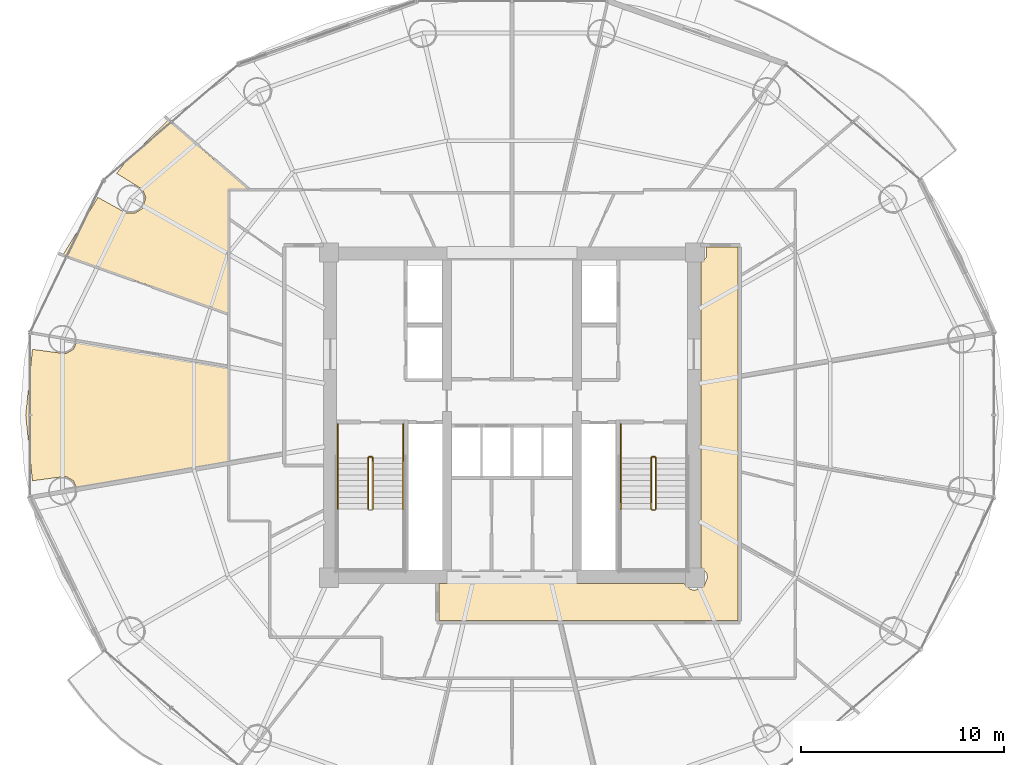
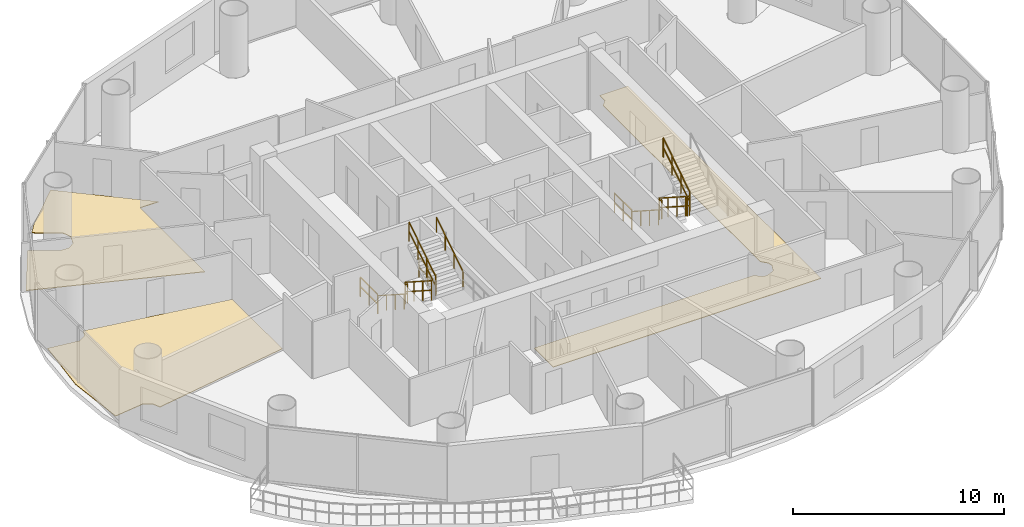
# One storey, part 25 of 26: 13 railings, 3 coverings.
"""IFC4 building model written with IfcOpenShell, lengths in metres."""

from ifc_helpers import new_model, si_unit, direction, frame, origin, origin_2d, place, context, subcontext, project, spatial, polyline, rectangle, outline, extrude, material, layer, layer_set, type_object, element, save


model = new_model("IFC4")

# Units and contexts
model_context = context("Model", 3, precision=1e-05, world=origin(), true_north=direction((-0.2419218956, 0.970295726276)))
body_context = subcontext(model_context, "Body", "Model", "MODEL_VIEW")
ifc_project = project(units=[si_unit("LENGTHUNIT", "METRE"), si_unit("AREAUNIT", "SQUARE_METRE"), si_unit("VOLUMEUNIT", "CUBIC_METRE"), si_unit("PLANEANGLEUNIT", "RADIAN"), si_unit("MASSUNIT", "GRAM", prefix="KILO")], contexts=[model_context])

# Site, building, storey
site_placement = place(None, origin())
site = spatial("IfcSite", under=ifc_project, at=site_placement, CompositionType="ELEMENT")
building_placement = place(site_placement, origin())
building = spatial("IfcBuilding", under=site, at=building_placement, Name="Cobrevalo Terracotta Tower", CompositionType="ELEMENT")
storey_placement = place(building_placement, frame((0.0, 0.0, 139.0)))
storey = spatial("IfcBuildingStorey", under=building, at=storey_placement, Name="L36", CompositionType="ELEMENT", Elevation=139.0)

# Coverings
ifc_material_1 = material(Name="Engineered Brazilian hardwood flooring", Category="wood")
ifc_layer_1 = layer(ifc_material_1, 0.028076171875)
ifc_layer_set_1 = layer_set([ifc_layer_1], Name="Engineered Brazilian hardwood flooring")
covering_type_1 = type_object("IfcCoveringType", Name="Engineered Hardwood Suite Flooring 28", PredefinedType="FLOORING", material=ifc_layer_set_1)
covering_1_placement = place(storey_placement, origin())
element("IfcCovering", 1, at=covering_1_placement, inside=storey, type_object=covering_type_1, Name="Flat L36B Master Bedroom floor finish", PredefinedType="FLOORING", context=body_context, shape_type="SweptSolid", body=[
    extrude(outline(polyline([(17.632568359375, 37.50634765625), (19.017822265625, 36.736572265625), (19.447265625, 36.725830078125), (19.810302734375, 36.955322265625), (19.988525390625, 37.4931640625), (19.834228515625, 37.89404296875), (18.551513671875, 38.6865234375), (19.02197265625, 39.29052734375), (21.0888671875, 41.308837890625), (25.049072265625, 37.905029296875), (24.044921875, 37.905029296875), (24.044921875, 31.78955078125), (15.918212890625, 34.6826171875), (17.632568359375, 37.50634765625)])), origin(), (0.0, 0.0, 1.0), 0.030029296875),
])
covering_2_placement = place(storey_placement, origin())
element("IfcCovering", 2, at=covering_2_placement, inside=storey, type_object=covering_type_1, Name="Flat L36B Penthouse Family Lounge floor finish", PredefinedType="FLOORING", context=body_context, shape_type="SweptSolid", body=[
    extrude(outline(polyline([(14.41357421875, 30.03369140625), (16.048583984375, 29.814697265625), (16.421630859375, 30.028076171875), (16.611572265625, 30.436279296875), (24.044921875, 29.16552734375), (24.044921875, 24.4345703125), (16.611572265625, 23.16357421875), (16.421630859375, 23.572021484375), (16.048583984375, 23.785400390625), (14.41357421875, 23.566162109375), (14.080078125, 26.800048828125), (14.41357421875, 30.03369140625)])), origin(), (0.0, 0.0, 1.0), 0.030029296875),
])
ifc_material_2 = material(Name="Honed terracotta and granite tile", Category="masonry")
ifc_layer_2 = layer(ifc_material_2, 0.034912109375)
ifc_layer_set_2 = layer_set([ifc_layer_2], Name="Honed terracotta and granite tile")
covering_type_2 = type_object("IfcCoveringType", Name="Honed Terracotta & Granite Interior Flooring 35", PredefinedType="FLOORING", material=ifc_layer_set_2)
covering_3_placement = place(storey_placement, origin())
element("IfcCovering", 3, at=covering_3_placement, inside=storey, type_object=covering_type_2, Name="L36 Residential Floor Corridor 1 floor finish", PredefinedType="FLOORING", context=body_context, shape_type="SweptSolid", body=[
    extrude(outline(polyline([(34.419921875, 18.5048828125), (46.46533203125, 18.5048828125), (46.7626953125, 18.226806640625), (47.0, 18.1796875), (47.438720703125, 18.361328125), (47.620361328125, 18.800048828125), (47.5732421875, 19.037353515625), (47.294921875, 19.334716796875), (47.294921875, 34.265380859375), (47.5732421875, 34.5625), (47.5615234375, 35.054931640625), (49.10498046875, 35.054931640625), (49.10498046875, 16.695068359375), (34.419921875, 16.695068359375), (34.419921875, 18.5048828125)])), origin(), (0.0, 0.0, 1.0), 0.030029296875),
])

# Railings
ifc_material_3 = material(Name="Brushed stainless steel", Category="steel")
railing_type_1 = type_object("IfcRailingType", Name="Stainless Steel Stair Handrail 900", PredefinedType="HANDRAIL", material=ifc_material_3)
railing_1_placement = place(storey_placement, frame((29.425048828125, 24.699951171875, 0.179931640625)))
element("IfcRailing", 4, at=railing_1_placement, inside=storey, type_object=railing_type_1, Name="L36 ST-1 stair handrail 1", PredefinedType="HANDRAIL", context=body_context, shape_type="SweptSolid", body=[
    extrude(rectangle(XDim=0.048095703125, YDim=0.048095703125, at=origin_2d()), frame((0.0, 0.0, 0.8759765625), z_axis=(0.0, -0.841162588446, 0.540782303519), x_axis=(1.0, 0.0, 0.0)), (0.0, 0.0, 1.0), 2.995849609375),
    extrude(rectangle(XDim=0.0419921875, YDim=0.0419921875, at=origin_2d()), origin(), (0.0, 0.0, 1.0), 0.851806640625),
    extrude(rectangle(XDim=0.0419921875, YDim=0.0419921875, at=origin_2d()), frame((0.0, -0.840087890625, 0.5400390625)), (0.0, 0.0, 1.0), 0.851806640625),
    extrude(rectangle(XDim=0.0419921875, YDim=0.0419921875, at=origin_2d()), frame((0.0, -1.679931640625, 1.080078125)), (0.0, 0.0, 1.0), 0.851806640625),
    extrude(rectangle(XDim=0.0419921875, YDim=0.0419921875, at=origin_2d()), frame((0.0, -2.52001953125, 1.6201171875)), (0.0, 0.0, 1.0), 0.851806640625),
])
railing_2_placement = place(storey_placement, frame((32.64501953125, 22.179931640625, 1.97998046875)))
element("IfcRailing", 5, at=railing_2_placement, inside=storey, type_object=railing_type_1, Name="L36 ST-1 stair handrail 2", PredefinedType="HANDRAIL", context=body_context, shape_type="SweptSolid", body=[
    extrude(rectangle(XDim=0.048095703125, YDim=0.048095703125, at=origin_2d()), frame((0.0, 0.0, 0.8759765625), z_axis=(0.0, 0.841162588446, 0.540782303519), x_axis=(-1.0, 0.0, 0.0)), (0.0, 0.0, 1.0), 2.995849609375),
    extrude(rectangle(XDim=0.0419921875, YDim=0.0419921875, at=origin_2d()), origin(), (0.0, 0.0, 1.0), 0.851806640625),
    extrude(rectangle(XDim=0.0419921875, YDim=0.0419921875, at=origin_2d()), frame((0.0, 0.840087890625, 0.5400390625)), (0.0, 0.0, 1.0), 0.851806640625),
    extrude(rectangle(XDim=0.0419921875, YDim=0.0419921875, at=origin_2d()), frame((0.0, 1.679931640625, 1.080078125)), (0.0, 0.0, 1.0), 0.851806640625),
    extrude(rectangle(XDim=0.0419921875, YDim=0.0419921875, at=origin_2d()), frame((0.0, 2.52001953125, 1.6201171875)), (0.0, 0.0, 1.0), 0.851806640625),
])
railing_3_placement = place(storey_placement, frame((43.35498046875, 24.699951171875, 0.179931640625)))
element("IfcRailing", 6, at=railing_3_placement, inside=storey, type_object=railing_type_1, Name="L36 ST-2 stair handrail 1", PredefinedType="HANDRAIL", context=body_context, shape_type="SweptSolid", body=[
    extrude(rectangle(XDim=0.048095703125, YDim=0.048095703125, at=origin_2d()), frame((0.0, 0.0, 0.8759765625), z_axis=(0.0, -0.841162588446, 0.540782303519), x_axis=(1.0, 0.0, 0.0)), (0.0, 0.0, 1.0), 2.995849609375),
    extrude(rectangle(XDim=0.0419921875, YDim=0.0419921875, at=origin_2d()), origin(), (0.0, 0.0, 1.0), 0.851806640625),
    extrude(rectangle(XDim=0.0419921875, YDim=0.0419921875, at=origin_2d()), frame((0.0, -0.840087890625, 0.5400390625)), (0.0, 0.0, 1.0), 0.851806640625),
    extrude(rectangle(XDim=0.0419921875, YDim=0.0419921875, at=origin_2d()), frame((0.0, -1.679931640625, 1.080078125)), (0.0, 0.0, 1.0), 0.851806640625),
    extrude(rectangle(XDim=0.0419921875, YDim=0.0419921875, at=origin_2d()), frame((0.0, -2.52001953125, 1.6201171875)), (0.0, 0.0, 1.0), 0.851806640625),
])
ifc_material_4 = material(Name="Painted galvanized steel", Category="steel")
railing_type_2 = type_object("IfcRailingType", Name="Stair Well Guard Balustrade 1150", PredefinedType="GUARDRAIL", material=ifc_material_4)
railing_4_placement = place(storey_placement, frame((30.925048828125, 24.699951171875, 0.179931640625)))
element("IfcRailing", 7, at=railing_4_placement, inside=storey, type_object=railing_type_2, Name="L36 ST-1 stair guard 1", PredefinedType="GUARDRAIL", context=body_context, shape_type="SweptSolid", body=[
    extrude(rectangle(XDim=0.048095703125, YDim=0.048095703125, at=origin_2d()), frame((0.0, 0.0, 1.1259765625), z_axis=(0.0, -0.841162588446, 0.540782303519), x_axis=(1.0, 0.0, 0.0)), (0.0, 0.0, 1.0), 2.995849609375),
    extrude(rectangle(XDim=0.048095703125, YDim=0.048095703125, at=origin_2d()), frame((0.0, 0.0, 0.574951171875), z_axis=(0.0, -0.841162588446, 0.540782303519), x_axis=(1.0, 0.0, 0.0)), (0.0, 0.0, 1.0), 2.995849609375),
    extrude(rectangle(XDim=0.0419921875, YDim=0.0419921875, at=origin_2d()), origin(), (0.0, 0.0, 1.0), 1.101806640625),
    extrude(rectangle(XDim=0.0419921875, YDim=0.0419921875, at=origin_2d()), frame((0.0, -0.840087890625, 0.5400390625)), (0.0, 0.0, 1.0), 1.101806640625),
    extrude(rectangle(XDim=0.0419921875, YDim=0.0419921875, at=origin_2d()), frame((0.0, -1.679931640625, 1.080078125)), (0.0, 0.0, 1.0), 1.101806640625),
    extrude(rectangle(XDim=0.0419921875, YDim=0.0419921875, at=origin_2d()), frame((0.0, -2.52001953125, 1.6201171875)), (0.0, 0.0, 1.0), 1.101806640625),
])
railing_5_placement = place(storey_placement, frame((31.14501953125, 22.179931640625, 1.97998046875)))
element("IfcRailing", 8, at=railing_5_placement, inside=storey, type_object=railing_type_2, Name="L36 ST-1 stair guard 6", PredefinedType="GUARDRAIL", context=body_context, shape_type="SweptSolid", body=[
    extrude(rectangle(XDim=0.048095703125, YDim=0.048095703125, at=origin_2d()), frame((0.0, 0.0, 1.1259765625), z_axis=(0.0, 0.841162588446, 0.540782303519), x_axis=(-1.0, 0.0, 0.0)), (0.0, 0.0, 1.0), 2.995849609375),
    extrude(rectangle(XDim=0.048095703125, YDim=0.048095703125, at=origin_2d()), frame((0.0, 0.0, 0.574951171875), z_axis=(0.0, 0.841162588446, 0.540782303519), x_axis=(-1.0, 0.0, 0.0)), (0.0, 0.0, 1.0), 2.995849609375),
    extrude(rectangle(XDim=0.0419921875, YDim=0.0419921875, at=origin_2d()), origin(), (0.0, 0.0, 1.0), 1.101806640625),
    extrude(rectangle(XDim=0.0419921875, YDim=0.0419921875, at=origin_2d()), frame((0.0, 0.840087890625, 0.5400390625)), (0.0, 0.0, 1.0), 1.101806640625),
    extrude(rectangle(XDim=0.0419921875, YDim=0.0419921875, at=origin_2d()), frame((0.0, 1.679931640625, 1.080078125)), (0.0, 0.0, 1.0), 1.101806640625),
    extrude(rectangle(XDim=0.0419921875, YDim=0.0419921875, at=origin_2d()), frame((0.0, 2.52001953125, 1.6201171875)), (0.0, 0.0, 1.0), 1.101806640625),
])
railing_6_placement = place(storey_placement, frame((30.97509765625, 24.75, 0.0)))
element("IfcRailing", 9, at=railing_6_placement, inside=storey, type_object=railing_type_2, Name="L36 ST-1 stair guard 7", PredefinedType="GUARDRAIL", context=body_context, shape_type="SweptSolid", body=[
    extrude(rectangle(XDim=0.048095703125, YDim=0.048095703125, at=origin_2d()), frame((0.0, 0.0, 1.1259765625), z_axis=(1.0, 0.0, 0.0), x_axis=(0.0, 1.0, 0.0)), (0.0, 0.0, 1.0), 0.119873046875),
    extrude(rectangle(XDim=0.048095703125, YDim=0.048095703125, at=origin_2d()), frame((0.0, 0.0, 0.574951171875), z_axis=(1.0, 0.0, 0.0), x_axis=(0.0, 1.0, 0.0)), (0.0, 0.0, 1.0), 0.119873046875),
    extrude(rectangle(XDim=0.0419921875, YDim=0.0419921875, at=origin_2d()), origin(), (0.0, 0.0, 1.0), 1.101806640625),
    extrude(rectangle(XDim=0.0419921875, YDim=0.0419921875, at=origin_2d()), frame((0.119873046875, 0.0, 0.0)), (0.0, 0.0, 1.0), 1.101806640625),
])
for number, where, name in (
    (10, (29.425048828125, 26.35009765625, 0.0), "L36 ST-1 stair guard 8"),
    (11, (32.64501953125, 26.35009765625, 0.0), "L36 ST-1 stair guard 9"),
):
    element("IfcRailing", number, at=place(storey_placement, frame(where)), inside=storey, type_object=railing_type_2, Name=name, PredefinedType="GUARDRAIL", context=body_context, shape_type="SweptSolid", body=[
        extrude(rectangle(XDim=0.048095703125, YDim=0.048095703125, at=origin_2d()), frame((0.0, 0.0, 1.1259765625), z_axis=(0.0, -1.0, 0.0), x_axis=(1.0, 0.0, 0.0)), (0.0, 0.0, 1.0), 1.650146484375),
        extrude(rectangle(XDim=0.048095703125, YDim=0.048095703125, at=origin_2d()), frame((0.0, 0.0, 0.574951171875), z_axis=(0.0, -1.0, 0.0), x_axis=(1.0, 0.0, 0.0)), (0.0, 0.0, 1.0), 1.650146484375),
        extrude(rectangle(XDim=0.0419921875, YDim=0.0419921875, at=origin_2d()), origin(), (0.0, 0.0, 1.0), 1.101806640625),
        extrude(rectangle(XDim=0.0419921875, YDim=0.0419921875, at=origin_2d()), frame((0.0, -0.8251953125, 0.0)), (0.0, 0.0, 1.0), 1.101806640625),
        extrude(rectangle(XDim=0.0419921875, YDim=0.0419921875, at=origin_2d()), frame((0.0, -1.650146484375, 0.0)), (0.0, 0.0, 1.0), 1.101806640625),
    ])
railing_7_placement = place(storey_placement, frame((44.85498046875, 24.699951171875, 0.179931640625)))
element("IfcRailing", 12, at=railing_7_placement, inside=storey, type_object=railing_type_2, Name="L36 ST-2 stair guard 1", PredefinedType="GUARDRAIL", context=body_context, shape_type="SweptSolid", body=[
    extrude(rectangle(XDim=0.048095703125, YDim=0.048095703125, at=origin_2d()), frame((0.0, 0.0, 1.1259765625), z_axis=(0.0, -0.841162588446, 0.540782303519), x_axis=(1.0, 0.0, 0.0)), (0.0, 0.0, 1.0), 2.995849609375),
    extrude(rectangle(XDim=0.048095703125, YDim=0.048095703125, at=origin_2d()), frame((0.0, 0.0, 0.574951171875), z_axis=(0.0, -0.841162588446, 0.540782303519), x_axis=(1.0, 0.0, 0.0)), (0.0, 0.0, 1.0), 2.995849609375),
    extrude(rectangle(XDim=0.0419921875, YDim=0.0419921875, at=origin_2d()), origin(), (0.0, 0.0, 1.0), 1.101806640625),
    extrude(rectangle(XDim=0.0419921875, YDim=0.0419921875, at=origin_2d()), frame((0.0, -0.840087890625, 0.5400390625)), (0.0, 0.0, 1.0), 1.101806640625),
    extrude(rectangle(XDim=0.0419921875, YDim=0.0419921875, at=origin_2d()), frame((0.0, -1.679931640625, 1.080078125)), (0.0, 0.0, 1.0), 1.101806640625),
    extrude(rectangle(XDim=0.0419921875, YDim=0.0419921875, at=origin_2d()), frame((0.0, -2.52001953125, 1.6201171875)), (0.0, 0.0, 1.0), 1.101806640625),
])
railing_8_placement = place(storey_placement, frame((44.905029296875, 22.1298828125, 1.800048828125)))
element("IfcRailing", 13, at=railing_8_placement, inside=storey, type_object=railing_type_2, Name="L36 ST-2 stair guard 2", PredefinedType="GUARDRAIL", context=body_context, shape_type="SweptSolid", body=[
    extrude(rectangle(XDim=0.048095703125, YDim=0.048095703125, at=origin_2d()), frame((0.0, 0.0, 1.1259765625), z_axis=(1.0, 0.0, 0.0), x_axis=(0.0, 1.0, 0.0)), (0.0, 0.0, 1.0), 0.119873046875),
    extrude(rectangle(XDim=0.048095703125, YDim=0.048095703125, at=origin_2d()), frame((0.0, 0.0, 0.574951171875), z_axis=(1.0, 0.0, 0.0), x_axis=(0.0, 1.0, 0.0)), (0.0, 0.0, 1.0), 0.119873046875),
    extrude(rectangle(XDim=0.0419921875, YDim=0.0419921875, at=origin_2d()), origin(), (0.0, 0.0, 1.0), 1.101806640625),
    extrude(rectangle(XDim=0.0419921875, YDim=0.0419921875, at=origin_2d()), frame((0.119873046875, 0.0, 0.0)), (0.0, 0.0, 1.0), 1.101806640625),
])
railing_9_placement = place(storey_placement, frame((45.074951171875, 22.179931640625, 1.97998046875)))
element("IfcRailing", 14, at=railing_9_placement, inside=storey, type_object=railing_type_2, Name="L36 ST-2 stair guard 6", PredefinedType="GUARDRAIL", context=body_context, shape_type="SweptSolid", body=[
    extrude(rectangle(XDim=0.048095703125, YDim=0.048095703125, at=origin_2d()), frame((0.0, 0.0, 1.1259765625), z_axis=(0.0, 0.841162588446, 0.540782303519), x_axis=(-1.0, 0.0, 0.0)), (0.0, 0.0, 1.0), 2.995849609375),
    extrude(rectangle(XDim=0.048095703125, YDim=0.048095703125, at=origin_2d()), frame((0.0, 0.0, 0.574951171875), z_axis=(0.0, 0.841162588446, 0.540782303519), x_axis=(-1.0, 0.0, 0.0)), (0.0, 0.0, 1.0), 2.995849609375),
    extrude(rectangle(XDim=0.0419921875, YDim=0.0419921875, at=origin_2d()), origin(), (0.0, 0.0, 1.0), 1.101806640625),
    extrude(rectangle(XDim=0.0419921875, YDim=0.0419921875, at=origin_2d()), frame((0.0, 0.840087890625, 0.5400390625)), (0.0, 0.0, 1.0), 1.101806640625),
    extrude(rectangle(XDim=0.0419921875, YDim=0.0419921875, at=origin_2d()), frame((0.0, 1.679931640625, 1.080078125)), (0.0, 0.0, 1.0), 1.101806640625),
    extrude(rectangle(XDim=0.0419921875, YDim=0.0419921875, at=origin_2d()), frame((0.0, 2.52001953125, 1.6201171875)), (0.0, 0.0, 1.0), 1.101806640625),
])
railing_10_placement = place(storey_placement, frame((44.905029296875, 24.75, 0.0)))
element("IfcRailing", 15, at=railing_10_placement, inside=storey, type_object=railing_type_2, Name="L36 ST-2 stair guard 7", PredefinedType="GUARDRAIL", context=body_context, shape_type="SweptSolid", body=[
    extrude(rectangle(XDim=0.048095703125, YDim=0.048095703125, at=origin_2d()), frame((0.0, 0.0, 1.1259765625), z_axis=(1.0, 0.0, 0.0), x_axis=(0.0, 1.0, 0.0)), (0.0, 0.0, 1.0), 0.119873046875),
    extrude(rectangle(XDim=0.048095703125, YDim=0.048095703125, at=origin_2d()), frame((0.0, 0.0, 0.574951171875), z_axis=(1.0, 0.0, 0.0), x_axis=(0.0, 1.0, 0.0)), (0.0, 0.0, 1.0), 0.119873046875),
    extrude(rectangle(XDim=0.0419921875, YDim=0.0419921875, at=origin_2d()), origin(), (0.0, 0.0, 1.0), 1.101806640625),
    extrude(rectangle(XDim=0.0419921875, YDim=0.0419921875, at=origin_2d()), frame((0.119873046875, 0.0, 0.0)), (0.0, 0.0, 1.0), 1.101806640625),
])
railing_11_placement = place(storey_placement, frame((43.35498046875, 26.35009765625, 0.0)))
element("IfcRailing", 16, at=railing_11_placement, inside=storey, type_object=railing_type_2, Name="L36 ST-2 stair guard 8", PredefinedType="GUARDRAIL", context=body_context, shape_type="SweptSolid", body=[
    extrude(rectangle(XDim=0.048095703125, YDim=0.048095703125, at=origin_2d()), frame((0.0, 0.0, 1.1259765625), z_axis=(0.0, -1.0, 0.0), x_axis=(1.0, 0.0, 0.0)), (0.0, 0.0, 1.0), 1.650146484375),
    extrude(rectangle(XDim=0.048095703125, YDim=0.048095703125, at=origin_2d()), frame((0.0, 0.0, 0.574951171875), z_axis=(0.0, -1.0, 0.0), x_axis=(1.0, 0.0, 0.0)), (0.0, 0.0, 1.0), 1.650146484375),
    extrude(rectangle(XDim=0.0419921875, YDim=0.0419921875, at=origin_2d()), origin(), (0.0, 0.0, 1.0), 1.101806640625),
    extrude(rectangle(XDim=0.0419921875, YDim=0.0419921875, at=origin_2d()), frame((0.0, -0.8251953125, 0.0)), (0.0, 0.0, 1.0), 1.101806640625),
    extrude(rectangle(XDim=0.0419921875, YDim=0.0419921875, at=origin_2d()), frame((0.0, -1.650146484375, 0.0)), (0.0, 0.0, 1.0), 1.101806640625),
])

save(model, "model.ifc")
